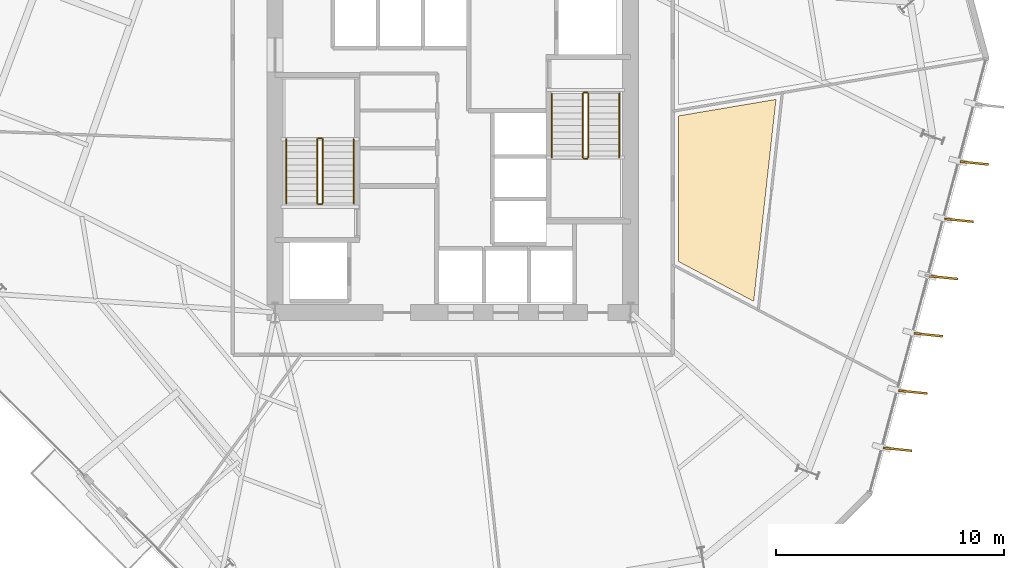
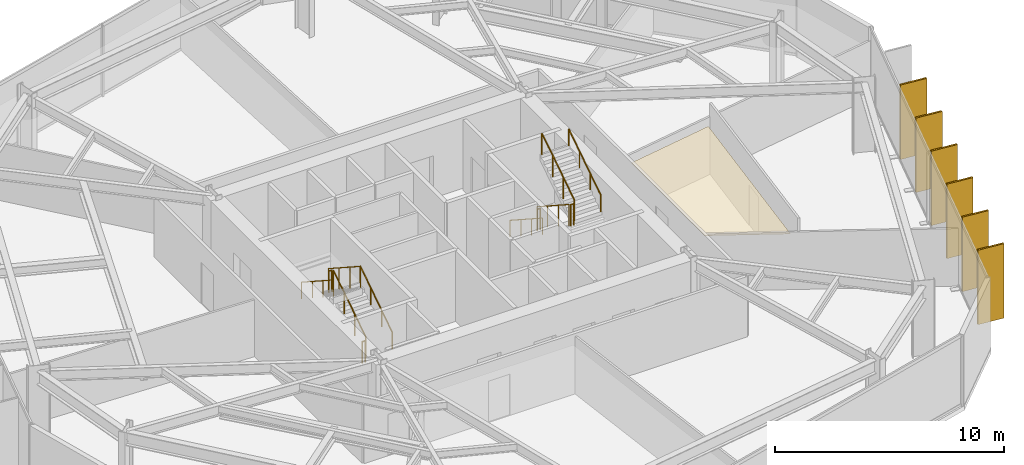
# One storey, part 9 of 10: 12 railings, 7 coverings, 6 shading devices.
"""IFC4 building model written with IfcOpenShell, lengths in metres."""

from ifc_helpers import new_model, si_unit, direction, frame, origin, origin_2d, place, context, subcontext, project, spatial, polyline, rectangle, circle, outline, extrude, material, layer, layer_set, type_object, element, save


model = new_model("IFC4")

# Units and contexts
model_context = context("Model", 3, precision=1e-05, world=origin(), true_north=direction((0.0, 1.0)))
body_context = subcontext(model_context, "Body", "Model", "MODEL_VIEW")
ifc_project = project(units=[si_unit("LENGTHUNIT", "METRE"), si_unit("AREAUNIT", "SQUARE_METRE"), si_unit("VOLUMEUNIT", "CUBIC_METRE"), si_unit("PLANEANGLEUNIT", "RADIAN"), si_unit("MASSUNIT", "GRAM", prefix="KILO")], contexts=[model_context])

# Site, building, storey
site_placement = place(None, origin())
site = spatial("IfcSite", under=ifc_project, at=site_placement, CompositionType="ELEMENT")
building_placement = place(site_placement, origin())
building = spatial("IfcBuilding", under=site, at=building_placement, Name="Kranzbogen Civic Tower", CompositionType="ELEMENT")
storey_placement = place(building_placement, frame((0.0, 0.0, 80.0)))
storey = spatial("IfcBuildingStorey", under=building, at=storey_placement, Name="L19", CompositionType="ELEMENT", Elevation=80.0)

# Coverings
ifc_material_1 = material(Name="Pale Anodised Aluminium", Category="aluminium")
ifc_layer_1 = layer(ifc_material_1, 0.02490234375, Name="Pale Anodised Aluminium")
ifc_layer_set_1 = layer_set([ifc_layer_1], Name="Pale Anodised Aluminium")
covering_type_1 = type_object("IfcCoveringType", Name="Anodised Aluminium Vertical Fin Cladding 25 mm", PredefinedType="CLADDING", material=ifc_layer_set_1)
for number, where, z_axis, x_axis, name in (
    (1, (44.514892578125, 11.800048828125, -0.139892578125), (0.0, 0.0, 1.0), (0.994889523866, -0.100969477078, 0.0), "L19 vertical fin pale-metal cladding F6-1"),
    (2, (45.18798828125, 14.31103515625, -0.139892578125), (0.0, 0.0, 1.0), (0.994889523866, -0.100969477078, 0.0), "L19 vertical fin pale-metal cladding F6-2"),
    (3, (45.861083984375, 16.822021484375, -0.139892578125), (0.0, 0.0, 1.0), (0.994889523866, -0.100969477078, 0.0), "L19 vertical fin pale-metal cladding F6-3"),
    (4, (46.533935546875, 19.333984375, -0.139892578125), (0.0, 0.0, 1.0), (0.994889523866, -0.100969477078, 0.0), "L19 vertical fin pale-metal cladding F6-4"),
    (5, (47.20703125, 21.844970703125, -0.139892578125), (0.0, 0.0, 1.0), (0.994889523866, -0.100969477078, 0.0), "L19 vertical fin pale-metal cladding F6-5"),
    (6, (47.8798828125, 24.35693359375, -0.139892578125), (0.0, 0.0, 1.0), (0.994889523866, -0.100969477078, 0.0), "L19 vertical fin pale-metal cladding F6-6"),
):
    element("IfcCovering", number, at=place(storey_placement, frame(where, z_axis=z_axis, x_axis=x_axis)), inside=storey, type_object=covering_type_1, Name=name, PredefinedType="CLADDING", context=body_context, shape_type="SweptSolid", body=[
        extrude(rectangle(XDim=1.25, YDim=0.10009765625, at=origin_2d()), origin(), (0.0, 0.0, 1.0), 3.9599609375),
    ])

# Shading devices
ifc_material_2 = material(Name="Anodised Bronze Aluminium", Category="aluminium")
shading_device_type = type_object("IfcShadingDeviceType", Name="Anodised Bronze Vertical Facade Fin 1250x80", PredefinedType="USERDEFINED", material=ifc_material_2)
for number, where, z_axis, x_axis, name in (
    (7, (44.514892578125, 11.800048828125, -0.139892578125), (0.0, 0.0, 1.0), (0.994889523866, -0.100969477078, 0.0), "L19 vertical exterior shading fin F6-1"),
    (8, (45.18798828125, 14.31103515625, -0.139892578125), (0.0, 0.0, 1.0), (0.994889523866, -0.100969477078, 0.0), "L19 vertical exterior shading fin F6-2"),
    (9, (45.861083984375, 16.822021484375, -0.139892578125), (0.0, 0.0, 1.0), (0.994889523866, -0.100969477078, 0.0), "L19 vertical exterior shading fin F6-3"),
    (10, (46.533935546875, 19.333984375, -0.139892578125), (0.0, 0.0, 1.0), (0.994889523866, -0.100969477078, 0.0), "L19 vertical exterior shading fin F6-4"),
    (11, (47.20703125, 21.844970703125, -0.139892578125), (0.0, 0.0, 1.0), (0.994889523866, -0.100969477078, 0.0), "L19 vertical exterior shading fin F6-5"),
    (12, (47.8798828125, 24.35693359375, -0.139892578125), (0.0, 0.0, 1.0), (0.994889523866, -0.100969477078, 0.0), "L19 vertical exterior shading fin F6-6"),
):
    element("IfcShadingDevice", number, at=place(storey_placement, frame(where, z_axis=z_axis, x_axis=x_axis)), inside=storey, type_object=shading_device_type, Name=name, ObjectType="FIN", PredefinedType="USERDEFINED", context=body_context, shape_type="SweptSolid", body=[
        extrude(rectangle(XDim=1.25, YDim=0.080078125, at=origin_2d()), origin(), (0.0, 0.0, 1.0), 3.9599609375),
    ])

# Railings
ifc_material_3 = material(Name="Steel S355", Category="steel")
railing_type_1 = type_object("IfcRailingType", Name="Internal Stair and Void Steel Guardrail 1150", PredefinedType="GUARDRAIL", material=ifc_material_3)
railing_1_placement = place(storey_placement, frame((19.300048828125, 22.60009765625, 0.181884765625)))
element("IfcRailing", 13, at=railing_1_placement, inside=storey, type_object=railing_type_1, Name="L19 ST-T1 stair guard 1", PredefinedType="GUARDRAIL", context=body_context, shape_type="SweptSolid", body=[
    extrude(circle(Radius=0.02392578125, at=origin_2d()), frame((0.0, 0.0, 1.1259765625), z_axis=(0.0, 0.83868413941, 0.544618136222), x_axis=(-1.0, 0.0, 0.0)), (0.0, 0.0, 1.0), 3.33837890625),
    extrude(circle(Radius=0.02099609375, at=origin_2d()), origin(), (0.0, 0.0, 1.0), 1.101806640625),
    extrude(circle(Radius=0.02099609375, at=origin_2d()), frame((0.0, 0.933349609375, 0.60595703125)), (0.0, 0.0, 1.0), 1.101806640625),
    extrude(circle(Radius=0.02099609375, at=origin_2d()), frame((0.0, 1.866455078125, 1.212158203125)), (0.0, 0.0, 1.0), 1.101806640625),
    extrude(circle(Radius=0.02099609375, at=origin_2d()), frame((0.0, 2.7998046875, 1.818115234375)), (0.0, 0.0, 1.0), 1.101806640625),
])
railing_2_placement = place(storey_placement, frame((19.25, 25.449951171875, 2.0)))
element("IfcRailing", 14, at=railing_2_placement, inside=storey, type_object=railing_type_1, Name="L19 ST-T1 stair guard 2", PredefinedType="GUARDRAIL", context=body_context, shape_type="SweptSolid", body=[
    extrude(circle(Radius=0.02392578125, at=origin_2d()), frame((0.0, 0.0, 1.1259765625), z_axis=(-1.0, 0.0, 0.0), x_axis=(0.0, -1.0, 0.0)), (0.0, 0.0, 1.0), 0.14990234375),
    extrude(circle(Radius=0.02099609375, at=origin_2d()), origin(), (0.0, 0.0, 1.0), 1.101806640625),
    extrude(circle(Radius=0.02099609375, at=origin_2d()), frame((-0.14990234375, 0.0, 0.0)), (0.0, 0.0, 1.0), 1.101806640625),
])
railing_3_placement = place(storey_placement, frame((19.050048828125, 25.39990234375, 2.181884765625)))
element("IfcRailing", 15, at=railing_3_placement, inside=storey, type_object=railing_type_1, Name="L19 ST-T1 stair guard 3", PredefinedType="GUARDRAIL", context=body_context, shape_type="SweptSolid", body=[
    extrude(circle(Radius=0.02392578125, at=origin_2d()), frame((0.0, 0.0, 1.1259765625), z_axis=(0.0, -0.83868413941, 0.544618136222), x_axis=(1.0, 0.0, 0.0)), (0.0, 0.0, 1.0), 3.33837890625),
    extrude(circle(Radius=0.02099609375, at=origin_2d()), origin(), (0.0, 0.0, 1.0), 1.101806640625),
    extrude(circle(Radius=0.02099609375, at=origin_2d()), frame((0.0, -0.933349609375, 0.60595703125)), (0.0, 0.0, 1.0), 1.101806640625),
    extrude(circle(Radius=0.02099609375, at=origin_2d()), frame((0.0, -1.866455078125, 1.212158203125)), (0.0, 0.0, 1.0), 1.101806640625),
    extrude(circle(Radius=0.02099609375, at=origin_2d()), frame((0.0, -2.7998046875, 1.818115234375)), (0.0, 0.0, 1.0), 1.101806640625),
])
railing_4_placement = place(storey_placement, frame((19.25, 22.550048828125, 0.0)))
element("IfcRailing", 16, at=railing_4_placement, inside=storey, type_object=railing_type_1, Name="L19 ST-T1 stair guard 4", PredefinedType="GUARDRAIL", context=body_context, shape_type="SweptSolid", body=[
    extrude(circle(Radius=0.02392578125, at=origin_2d()), frame((0.0, 0.0, 1.1259765625), z_axis=(-1.0, 0.0, 0.0), x_axis=(0.0, -1.0, 0.0)), (0.0, 0.0, 1.0), 0.14990234375),
    extrude(circle(Radius=0.02099609375, at=origin_2d()), origin(), (0.0, 0.0, 1.0), 1.101806640625),
    extrude(circle(Radius=0.02099609375, at=origin_2d()), frame((-0.14990234375, 0.0, 0.0)), (0.0, 0.0, 1.0), 1.101806640625),
])
railing_5_placement = place(storey_placement, frame((30.699951171875, 27.39990234375, 0.181884765625)))
element("IfcRailing", 17, at=railing_5_placement, inside=storey, type_object=railing_type_1, Name="L19 ST-T2 stair guard 1", PredefinedType="GUARDRAIL", context=body_context, shape_type="SweptSolid", body=[
    extrude(circle(Radius=0.02392578125, at=origin_2d()), frame((0.0, 0.0, 1.1259765625), z_axis=(0.0, -0.83868413941, 0.544618136222), x_axis=(1.0, 0.0, 0.0)), (0.0, 0.0, 1.0), 3.33837890625),
    extrude(circle(Radius=0.02099609375, at=origin_2d()), origin(), (0.0, 0.0, 1.0), 1.101806640625),
    extrude(circle(Radius=0.02099609375, at=origin_2d()), frame((0.0, -0.933349609375, 0.60595703125)), (0.0, 0.0, 1.0), 1.101806640625),
    extrude(circle(Radius=0.02099609375, at=origin_2d()), frame((0.0, -1.866455078125, 1.212158203125)), (0.0, 0.0, 1.0), 1.101806640625),
    extrude(circle(Radius=0.02099609375, at=origin_2d()), frame((0.0, -2.7998046875, 1.818115234375)), (0.0, 0.0, 1.0), 1.101806640625),
])
railing_6_placement = place(storey_placement, frame((30.75, 24.550048828125, 2.0)))
element("IfcRailing", 18, at=railing_6_placement, inside=storey, type_object=railing_type_1, Name="L19 ST-T2 stair guard 2", PredefinedType="GUARDRAIL", context=body_context, shape_type="SweptSolid", body=[
    extrude(circle(Radius=0.02392578125, at=origin_2d()), frame((0.0, 0.0, 1.1259765625), z_axis=(1.0, 0.0, 0.0), x_axis=(0.0, 1.0, 0.0)), (0.0, 0.0, 1.0), 0.14990234375),
    extrude(circle(Radius=0.02099609375, at=origin_2d()), origin(), (0.0, 0.0, 1.0), 1.101806640625),
    extrude(circle(Radius=0.02099609375, at=origin_2d()), frame((0.14990234375, 0.0, 0.0)), (0.0, 0.0, 1.0), 1.101806640625),
])
railing_7_placement = place(storey_placement, frame((30.949951171875, 24.60009765625, 2.181884765625)))
element("IfcRailing", 19, at=railing_7_placement, inside=storey, type_object=railing_type_1, Name="L19 ST-T2 stair guard 3", PredefinedType="GUARDRAIL", context=body_context, shape_type="SweptSolid", body=[
    extrude(circle(Radius=0.02392578125, at=origin_2d()), frame((0.0, 0.0, 1.1259765625), z_axis=(0.0, 0.83868413941, 0.544618136222), x_axis=(-1.0, 0.0, 0.0)), (0.0, 0.0, 1.0), 3.33837890625),
    extrude(circle(Radius=0.02099609375, at=origin_2d()), origin(), (0.0, 0.0, 1.0), 1.101806640625),
    extrude(circle(Radius=0.02099609375, at=origin_2d()), frame((0.0, 0.933349609375, 0.60595703125)), (0.0, 0.0, 1.0), 1.101806640625),
    extrude(circle(Radius=0.02099609375, at=origin_2d()), frame((0.0, 1.866455078125, 1.212158203125)), (0.0, 0.0, 1.0), 1.101806640625),
    extrude(circle(Radius=0.02099609375, at=origin_2d()), frame((0.0, 2.7998046875, 1.818115234375)), (0.0, 0.0, 1.0), 1.101806640625),
])
railing_8_placement = place(storey_placement, frame((30.75, 27.449951171875, 0.0)))
element("IfcRailing", 20, at=railing_8_placement, inside=storey, type_object=railing_type_1, Name="L19 ST-T2 stair guard 4", PredefinedType="GUARDRAIL", context=body_context, shape_type="SweptSolid", body=[
    extrude(circle(Radius=0.02392578125, at=origin_2d()), frame((0.0, 0.0, 1.1259765625), z_axis=(1.0, 0.0, 0.0), x_axis=(0.0, 1.0, 0.0)), (0.0, 0.0, 1.0), 0.14990234375),
    extrude(circle(Radius=0.02099609375, at=origin_2d()), origin(), (0.0, 0.0, 1.0), 1.101806640625),
    extrude(circle(Radius=0.02099609375, at=origin_2d()), frame((0.14990234375, 0.0, 0.0)), (0.0, 0.0, 1.0), 1.101806640625),
])

# Covering
ifc_material_4 = material(Name="Perforated Acoustic Gypsum Ceiling")
ifc_layer_2 = layer(ifc_material_4, 0.02490234375, Name="Perforated Acoustic Gypsum Ceiling")
ifc_layer_set_2 = layer_set([ifc_layer_2], Name="Perforated Acoustic Gypsum Ceiling")
covering_type_2 = type_object("IfcCoveringType", Name="Perforated Acoustic Mineral Ceiling Tile 25 mm", PredefinedType="CEILING", material=ifc_layer_set_2)
covering_placement = place(storey_placement, frame((0.0, 0.0, 2.75)))
element("IfcCovering", 21, at=covering_placement, inside=storey, type_object=covering_type_2, Name="L19 Operations Security Control Room acoustic ceiling", PredefinedType="CEILING", context=body_context, shape_type="SweptSolid", body=[
    extrude(outline(polyline([(34.89501953125, 26.423095703125), (39.177001953125, 27.14697265625), (38.197998046875, 18.29296875), (34.89501953125, 20.041015625), (34.89501953125, 26.423095703125)])), origin(), (0.0, 0.0, 1.0), 0.02490234375),
])

# Railings
railing_type_2 = type_object("IfcRailingType", Name="Tubular Stainless Stair Wall Handrail 900", PredefinedType="HANDRAIL", material=ifc_material_1)
railing_9_placement = place(storey_placement, frame((20.64990234375, 22.60009765625, 0.181884765625)))
element("IfcRailing", 22, at=railing_9_placement, inside=storey, type_object=railing_type_2, Name="L19 ST-T1 stair handrail 1", PredefinedType="HANDRAIL", context=body_context, shape_type="SweptSolid", body=[
    extrude(circle(Radius=0.02392578125, at=origin_2d()), frame((0.0, 0.0, 0.8759765625), z_axis=(0.0, 0.83868413941, 0.544618136222), x_axis=(-1.0, 0.0, 0.0)), (0.0, 0.0, 1.0), 3.33837890625),
    extrude(circle(Radius=0.02099609375, at=origin_2d()), origin(), (0.0, 0.0, 1.0), 0.851806640625),
    extrude(circle(Radius=0.02099609375, at=origin_2d()), frame((0.0, 0.933349609375, 0.60595703125)), (0.0, 0.0, 1.0), 0.851806640625),
    extrude(circle(Radius=0.02099609375, at=origin_2d()), frame((0.0, 1.866455078125, 1.212158203125)), (0.0, 0.0, 1.0), 0.851806640625),
    extrude(circle(Radius=0.02099609375, at=origin_2d()), frame((0.0, 2.7998046875, 1.818115234375)), (0.0, 0.0, 1.0), 0.851806640625),
])
for number, where, name in (
    (23, (17.699951171875, 25.39990234375, 2.181884765625), "L19 ST-T1 stair handrail 2"),
    (24, (29.35009765625, 27.39990234375, 0.181884765625), "L19 ST-T2 stair handrail 1"),
):
    element("IfcRailing", number, at=place(storey_placement, frame(where)), inside=storey, type_object=railing_type_2, Name=name, PredefinedType="HANDRAIL", context=body_context, shape_type="SweptSolid", body=[
        extrude(circle(Radius=0.02392578125, at=origin_2d()), frame((0.0, 0.0, 0.8759765625), z_axis=(0.0, -0.83868413941, 0.544618136222), x_axis=(1.0, 0.0, 0.0)), (0.0, 0.0, 1.0), 3.33837890625),
        extrude(circle(Radius=0.02099609375, at=origin_2d()), origin(), (0.0, 0.0, 1.0), 0.851806640625),
        extrude(circle(Radius=0.02099609375, at=origin_2d()), frame((0.0, -0.933349609375, 0.60595703125)), (0.0, 0.0, 1.0), 0.851806640625),
        extrude(circle(Radius=0.02099609375, at=origin_2d()), frame((0.0, -1.866455078125, 1.212158203125)), (0.0, 0.0, 1.0), 0.851806640625),
        extrude(circle(Radius=0.02099609375, at=origin_2d()), frame((0.0, -2.7998046875, 1.818115234375)), (0.0, 0.0, 1.0), 0.851806640625),
    ])
railing_10_placement = place(storey_placement, frame((32.300048828125, 24.60009765625, 2.181884765625)))
element("IfcRailing", 25, at=railing_10_placement, inside=storey, type_object=railing_type_2, Name="L19 ST-T2 stair handrail 2", PredefinedType="HANDRAIL", context=body_context, shape_type="SweptSolid", body=[
    extrude(circle(Radius=0.02392578125, at=origin_2d()), frame((0.0, 0.0, 0.8759765625), z_axis=(0.0, 0.83868413941, 0.544618136222), x_axis=(-1.0, 0.0, 0.0)), (0.0, 0.0, 1.0), 3.33837890625),
    extrude(circle(Radius=0.02099609375, at=origin_2d()), origin(), (0.0, 0.0, 1.0), 0.851806640625),
    extrude(circle(Radius=0.02099609375, at=origin_2d()), frame((0.0, 0.933349609375, 0.60595703125)), (0.0, 0.0, 1.0), 0.851806640625),
    extrude(circle(Radius=0.02099609375, at=origin_2d()), frame((0.0, 1.866455078125, 1.212158203125)), (0.0, 0.0, 1.0), 0.851806640625),
    extrude(circle(Radius=0.02099609375, at=origin_2d()), frame((0.0, 2.7998046875, 1.818115234375)), (0.0, 0.0, 1.0), 0.851806640625),
])

save(model, "model.ifc")
